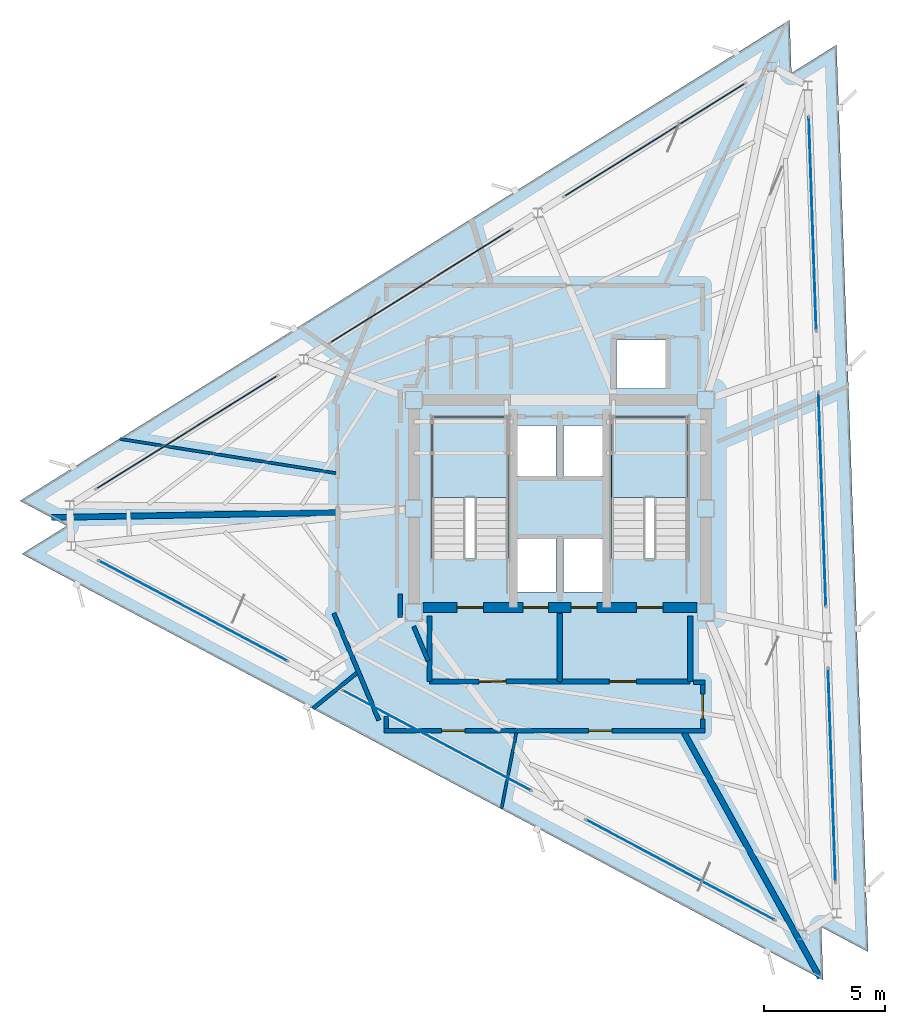
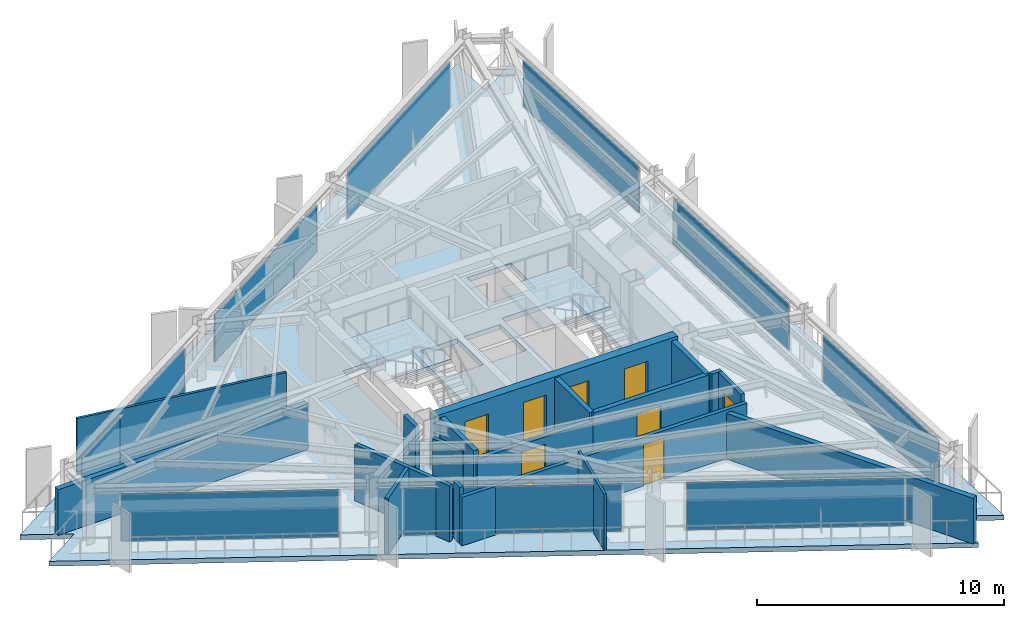
# One storey, part 8 of 13: 18 walls, 9 doors, 9 plates, 3 slabs, 9 openings, 11 elements without a shape of their own.
"""IFC4 building model written with IfcOpenShell, lengths in metres."""

from ifc_helpers import new_model, si_unit, direction, frame, frame_2d, origin, origin_2d, place, context, subcontext, project, spatial, polyline, rectangle, outline, extrude, material, layer, layer_set, type_object, element, fill, aggregate, save


model = new_model("IFC4")

# Units and contexts
model_context = context("Model", 3, precision=1e-05, world=origin(), true_north=direction((0.0, 1.0)))
body_context = subcontext(model_context, "Body", "Model", "MODEL_VIEW")
ifc_project = project(units=[si_unit("LENGTHUNIT", "METRE"), si_unit("AREAUNIT", "SQUARE_METRE"), si_unit("VOLUMEUNIT", "CUBIC_METRE"), si_unit("PLANEANGLEUNIT", "RADIAN"), si_unit("MASSUNIT", "GRAM", prefix="KILO")], contexts=[model_context])

# Site, building, storey
site_placement = place(None, origin())
site = spatial("IfcSite", under=ifc_project, at=site_placement, CompositionType="ELEMENT")
building_placement = place(site_placement, origin())
building = spatial("IfcBuilding", under=site, at=building_placement, Name="Rocaltana Carrier Exchange", CompositionType="ELEMENT")
storey_placement = place(building_placement, frame((0.0, 0.0, 199.679931640625)))
storey = spatial("IfcBuildingStorey", under=building, at=storey_placement, Name="L63", CompositionType="ELEMENT", Elevation=199.679931640625)

# Curtain wall, plate
ifc_material_1 = material(Name="Aluminium 6063-T6", Category="aluminium")
ifc_layer_1 = layer(ifc_material_1, 0.1201171875)
ifc_layer_set_1 = layer_set([ifc_layer_1], Name="Aluminium 6063-T6")
curtain_wall_type = type_object("IfcCurtainWallType", Name="High-Altitude Thermal Curtain Wall CW-05", PredefinedType="NOTDEFINED", material=ifc_layer_set_1)
curtain_wall_1_placement = place(storey_placement, origin())
curtain_wall_1 = element("IfcCurtainWall", 1, at=curtain_wall_1_placement, inside=storey, type_object=curtain_wall_type, Name="L63 CW-05 Run CW-L63-F1S1", PredefinedType="NOTDEFINED")
ifc_material_2 = material(Name="Tempered Laminated Glass", Category="glass")
ifc_layer_2 = layer(ifc_material_2, 0.035888671875)
ifc_layer_set_2 = layer_set([ifc_layer_2], Name="Tempered Laminated Glass")
plate_type = type_object("IfcPlateType", Name="CW-05 Stone-Insulated Vision Panel", PredefinedType="CURTAIN_PANEL", material=ifc_layer_set_2)
plate_1_placement = place(storey_placement, frame((11.266845703125, -11.046875, 0.06005859375), z_axis=(0.0, 0.0, 1.0), x_axis=(-0.034914127567, 0.999390315991, 0.0)))
plate_1 = element("IfcPlate", 2, at=plate_1_placement, type_object=plate_type, Name="CW-05 panel 1.1", PredefinedType="CURTAIN_PANEL", context=body_context, shape_type="SweptSolid", body=[
    extrude(rectangle(XDim=8.813232421875, YDim=0.035888671875, at=origin_2d()), origin(), (0.0, 0.0, 1.0), 2.327880859375),
])
aggregate(curtain_wall_1, [plate_1])

curtain_wall_2_placement = place(storey_placement, origin())
curtain_wall_2 = element("IfcCurtainWall", 3, at=curtain_wall_2_placement, inside=storey, type_object=curtain_wall_type, Name="L63 CW-05 Run CW-L63-F1S2", PredefinedType="NOTDEFINED")
plate_2_placement = place(storey_placement, frame((10.86767578125, 0.37939453125, 0.06005859375), z_axis=(0.0, 0.0, 1.0), x_axis=(-0.034902556738, 0.999390720156, 0.0)))
plate_2 = element("IfcPlate", 4, at=plate_2_placement, type_object=plate_type, Name="CW-05 panel 1.1", PredefinedType="CURTAIN_PANEL", context=body_context, shape_type="SweptSolid", body=[
    extrude(rectangle(XDim=8.8134765625, YDim=0.035888671875, at=origin_2d()), origin(), (0.0, 0.0, 1.0), 2.327880859375),
])
aggregate(curtain_wall_2, [plate_2])

curtain_wall_3_placement = place(storey_placement, origin())
curtain_wall_3 = element("IfcCurtainWall", 5, at=curtain_wall_3_placement, inside=storey, type_object=curtain_wall_type, Name="L63 CW-05 Run CW-L63-F1S3", PredefinedType="NOTDEFINED")
plate_3_placement = place(storey_placement, frame((10.46875, 11.805908203125, 0.06005859375), z_axis=(0.0, 0.0, 1.0), x_axis=(-0.034902556738, 0.999390720156, 0.0)))
plate_3 = element("IfcPlate", 6, at=plate_3_placement, type_object=plate_type, Name="CW-05 panel 1.1", PredefinedType="CURTAIN_PANEL", context=body_context, shape_type="SweptSolid", body=[
    extrude(rectangle(XDim=8.8134765625, YDim=0.035888671875, at=origin_2d()), origin(), (0.0, 0.0, 1.0), 2.327880859375),
])
aggregate(curtain_wall_3, [plate_3])

curtain_wall_4_placement = place(storey_placement, origin())
curtain_wall_4 = element("IfcCurtainWall", 7, at=curtain_wall_4_placement, inside=storey, type_object=curtain_wall_type, Name="L63 CW-05 Run CW-L63-F2S1", PredefinedType="NOTDEFINED")
plate_4_placement = place(storey_placement, frame((3.93359375, 15.28076171875, 0.06005859375), z_axis=(0.0, 0.0, 1.0), x_axis=(-0.848042322807, -0.529928503412, 0.0)))
plate_4 = element("IfcPlate", 8, at=plate_4_placement, type_object=plate_type, Name="CW-05 panel 1.1", PredefinedType="CURTAIN_PANEL", context=body_context, shape_type="SweptSolid", body=[
    extrude(rectangle(XDim=8.813232421875, YDim=0.035888671875, at=origin_2d()), origin(), (0.0, 0.0, 1.0), 2.327880859375),
])
aggregate(curtain_wall_4, [plate_4])

curtain_wall_5_placement = place(storey_placement, origin())
curtain_wall_5 = element("IfcCurtainWall", 9, at=curtain_wall_5_placement, inside=storey, type_object=curtain_wall_type, Name="L63 CW-05 Run CW-L63-F2S2", PredefinedType="NOTDEFINED")
plate_5_placement = place(storey_placement, frame((-5.762451171875, 9.221923828125, 0.06005859375), z_axis=(0.0, 0.0, 1.0), x_axis=(-0.848047353446, -0.529920452816, 0.0)))
plate_5 = element("IfcPlate", 10, at=plate_5_placement, type_object=plate_type, Name="CW-05 panel 1.1", PredefinedType="CURTAIN_PANEL", context=body_context, shape_type="SweptSolid", body=[
    extrude(rectangle(XDim=8.813232421875, YDim=0.035888671875, at=origin_2d()), origin(), (0.0, 0.0, 1.0), 2.327880859375),
])
aggregate(curtain_wall_5, [plate_5])

curtain_wall_6_placement = place(storey_placement, origin())
curtain_wall_6 = element("IfcCurtainWall", 11, at=curtain_wall_6_placement, inside=storey, type_object=curtain_wall_type, Name="L63 CW-05 Run CW-L63-F2S3", PredefinedType="NOTDEFINED")
plate_6_placement = place(storey_placement, frame((-15.45849609375, 3.163330078125, 0.06005859375), z_axis=(0.0, 0.0, 1.0), x_axis=(-0.848050496896, -0.529915422228, 0.0)))
plate_6 = element("IfcPlate", 12, at=plate_6_placement, type_object=plate_type, Name="CW-05 panel 1.1", PredefinedType="CURTAIN_PANEL", context=body_context, shape_type="SweptSolid", body=[
    extrude(rectangle(XDim=8.813232421875, YDim=0.035888671875, at=origin_2d()), origin(), (0.0, 0.0, 1.0), 2.327880859375),
])
aggregate(curtain_wall_6, [plate_6])

curtain_wall_7_placement = place(storey_placement, origin())
curtain_wall_7 = element("IfcCurtainWall", 13, at=curtain_wall_7_placement, inside=storey, type_object=curtain_wall_type, Name="L63 CW-05 Run CW-L63-F3S1", PredefinedType="NOTDEFINED")
plate_7_placement = place(storey_placement, frame((-15.2001953125, -4.23388671875, 0.06005859375), z_axis=(0.0, 0.0, 1.0), x_axis=(0.882941304732, -0.469483388841, 0.0)))
plate_7 = element("IfcPlate", 14, at=plate_7_placement, type_object=plate_type, Name="CW-05 panel 1.1", PredefinedType="CURTAIN_PANEL", context=body_context, shape_type="SweptSolid", body=[
    extrude(rectangle(XDim=8.8134765625, YDim=0.035888671875, at=origin_2d()), origin(), (0.0, 0.0, 1.0), 2.327880859375),
])
aggregate(curtain_wall_7, [plate_7])

curtain_wall_8_placement = place(storey_placement, origin())
curtain_wall_8 = element("IfcCurtainWall", 15, at=curtain_wall_8_placement, inside=storey, type_object=curtain_wall_type, Name="L63 CW-05 Run CW-L63-F3S2", PredefinedType="NOTDEFINED")
plate_8_placement = place(storey_placement, frame((-5.105224609375, -9.6015625, 0.06005859375), z_axis=(0.0, 0.0, 1.0), x_axis=(0.882943477624, -0.469479302335, 0.0)))
plate_8 = element("IfcPlate", 16, at=plate_8_placement, type_object=plate_type, Name="CW-05 panel 1.1", PredefinedType="CURTAIN_PANEL", context=body_context, shape_type="SweptSolid", body=[
    extrude(rectangle(XDim=8.813232421875, YDim=0.035888671875, at=origin_2d()), origin(), (0.0, 0.0, 1.0), 2.327880859375),
])
aggregate(curtain_wall_8, [plate_8])

curtain_wall_9_placement = place(storey_placement, origin())
curtain_wall_9 = element("IfcCurtainWall", 17, at=curtain_wall_9_placement, inside=storey, type_object=curtain_wall_type, Name="L63 CW-05 Run CW-L63-F3S3", PredefinedType="NOTDEFINED")
plate_9_placement = place(storey_placement, frame((4.98974609375, -14.968994140625, 0.06005859375), z_axis=(0.0, 0.0, 1.0), x_axis=(0.882945944879, -0.469474662173, 0.0)))
plate_9 = element("IfcPlate", 18, at=plate_9_placement, type_object=plate_type, Name="CW-05 panel 1.1", PredefinedType="CURTAIN_PANEL", context=body_context, shape_type="SweptSolid", body=[
    extrude(rectangle(XDim=8.8134765625, YDim=0.035888671875, at=origin_2d()), origin(), (0.0, 0.0, 1.0), 2.327880859375),
])
aggregate(curtain_wall_9, [plate_9])

# Slab
ifc_material_3 = material(Name="Concrete C50/60", Category="concrete")
ifc_layer_3 = layer(ifc_material_3, 0.239990234375)
ifc_layer_set_3 = layer_set([ifc_layer_3], Name="Concrete C50/60")
slab_type_1 = type_object("IfcSlabType", Name="High-Zone Tower Slab 240", PredefinedType="FLOOR", material=ifc_layer_set_3)
slab_1_placement = place(storey_placement, frame((0.0, 0.0, -0.239990234375)))
element("IfcSlab", 19, at=slab_1_placement, inside=storey, type_object=slab_type_1, Name="L63 Structural Floor Slab", PredefinedType="FLOOR", context=body_context, shape_type="SweptSolid", body=[
    extrude(outline(polyline([(10.907470703125, -19.53125), (10.83056640625, -17.33251953125), (12.773193359375, -18.365478515625), (11.4609375, 19.211669921875), (9.59521484375, 18.0458984375), (9.518310546875, 20.244384765625), (-22.3681640625, 0.319580078125), (-20.42578125, -0.71337890625), (-22.29150390625, -1.879150390625), (10.907470703125, -19.53125)]), holes=[polyline([(-5.300048828125, -2.06005859375), (-2.139892578125, -2.06005859375), (-2.139892578125, 3.800048828125), (-5.300048828125, 3.800048828125), (-5.300048828125, -2.06005859375)]), polyline([(2.139892578125, -2.06005859375), (5.300048828125, -2.06005859375), (5.300048828125, 3.800048828125), (2.139892578125, 3.800048828125), (2.139892578125, -2.06005859375)]), polyline([(-1.85009765625, -3.449951171875), (-0.14990234375, -3.449951171875), (-0.14990234375, -1.25), (-1.85009765625, -1.25), (-1.85009765625, -3.449951171875)]), polyline([(0.14990234375, -3.449951171875), (1.85009765625, -3.449951171875), (1.85009765625, -1.25), (0.14990234375, -1.25), (0.14990234375, -3.449951171875)]), polyline([(2.35009765625, 4.97998046875), (4.39990234375, 4.97998046875), (4.39990234375, 6.97998046875), (2.35009765625, 6.97998046875), (2.35009765625, 4.97998046875)]), polyline([(-1.85009765625, 1.35009765625), (-0.14990234375, 1.35009765625), (-0.14990234375, 3.449951171875), (-1.85009765625, 3.449951171875), (-1.85009765625, 1.35009765625)]), polyline([(0.14990234375, 1.35009765625), (1.85009765625, 1.35009765625), (1.85009765625, 3.449951171875), (0.14990234375, 3.449951171875), (0.14990234375, 1.35009765625)])]), origin(), (0.0, 0.0, 1.0), 0.239990234375),
])

# Stair, slab
ifc_material_4 = material(Name="Precast concrete C45/55", Category="concrete")
stair_type = type_object("IfcStairType", Name="Standard Dog-Leg Stair 160", PredefinedType="HALF_TURN_STAIR", material=ifc_material_4)
stair_1_placement = place(storey_placement, origin())
stair_1 = element("IfcStair", 20, at=stair_1_placement, inside=storey, type_object=stair_type, Name="L63 Core West Exit Stair ST-1", PredefinedType="HALF_TURN_STAIR")
ifc_material_5 = material(Name="Precast concrete C45/55", Category="concrete")
ifc_layer_4 = layer(ifc_material_5, 0.199951171875)
ifc_layer_set_4 = layer_set([ifc_layer_4], Name="Precast concrete C45/55")
slab_type_2 = type_object("IfcSlabType", Name="Precast Stair Half-Landing 200", PredefinedType="LANDING", material=ifc_layer_set_4)
slab_2_placement = place(storey_placement, frame((0.0, 0.0, 1.320068359375)))
slab_2 = element("IfcSlab", 21, at=slab_2_placement, type_object=slab_type_2, Name="ST-1 landing 1", PredefinedType="LANDING", context=body_context, shape_type="SweptSolid", body=[
    extrude(outline(polyline([(-2.139892578125, 0.4599609375), (-2.139892578125, 3.800048828125), (-5.300048828125, 3.800048828125), (-5.300048828125, 0.4599609375), (-2.139892578125, 0.4599609375)])), origin(), (0.0, 0.0, 1.0), 0.199951171875),
])
aggregate(stair_1, [slab_2])

stair_2_placement = place(storey_placement, origin())
stair_2 = element("IfcStair", 22, at=stair_2_placement, inside=storey, type_object=stair_type, Name="L63 Core East Exit Stair ST-2", PredefinedType="HALF_TURN_STAIR")
slab_3_placement = place(storey_placement, frame((0.0, 0.0, 1.320068359375)))
slab_3 = element("IfcSlab", 23, at=slab_3_placement, type_object=slab_type_2, Name="ST-2 landing 1", PredefinedType="LANDING", context=body_context, shape_type="SweptSolid", body=[
    extrude(outline(polyline([(5.300048828125, 0.4599609375), (5.300048828125, 3.800048828125), (2.139892578125, 3.800048828125), (2.139892578125, 0.4599609375), (5.300048828125, 0.4599609375)])), origin(), (0.0, 0.0, 1.0), 0.199951171875),
])
aggregate(stair_2, [slab_3])

# Wall
ifc_material_6 = material(Name="Double Acoustic Gypsum Partition", Category="gypsum")
ifc_layer_5 = layer(ifc_material_6, 0.159912109375)
ifc_layer_set_5 = layer_set([ifc_layer_5], Name="Double Acoustic Gypsum Partition")
wall_type_1 = type_object("IfcWallType", Name="Acoustic Studio Partition 160 EI60", PredefinedType="PARTITIONING", material=ifc_layer_set_5)
wall_1_placement = place(storey_placement, frame((-8.4111328125, -6.811279296875, 0.0), z_axis=(0.0, 0.0, 1.0), x_axis=(-0.777176762159, -0.629282353448, 0.0)))
element("IfcWall", 24, at=wall_1_placement, inside=storey, type_object=wall_type_1, Name="L63 Suite Divider Wall D2", PredefinedType="PARTITIONING", context=body_context, shape_type="SweptSolid", body=[
    extrude(rectangle(XDim=2.33740234375, YDim=0.159912109375, at=frame_2d((1.168701171875, 0.0))), origin(), (0.0, 0.0, 1.0), 2.77294921875),
])

# Wall, openings, doors
ifc_material_7 = material(Name="Concrete C50/60", Category="concrete")
ifc_layer_6 = layer(ifc_material_7, 0.39990234375)
ifc_layer_set_6 = layer_set([ifc_layer_6], Name="Concrete C50/60")
wall_type_2 = type_object("IfcWallType", Name="Core Internal Shear Wall 400", PredefinedType="SHEAR", material=ifc_layer_set_6)
wall_2_placement = place(storey_placement, frame((-5.675048828125, -4.10009765625, 0.0), z_axis=(0.0, 0.0, 1.0), x_axis=(1.0, 0.0, 0.0)))
wall_2 = element("IfcWall", 25, at=wall_2_placement, inside=storey, type_object=wall_type_2, Name="L63 Core Shear Wall CW-S", PredefinedType="SHEAR", context=body_context, shape_type="SweptSolid", body=[
    extrude(rectangle(XDim=11.35009765625, YDim=0.39990234375, at=frame_2d((5.675048828125, 0.0))), origin(), (0.0, 0.0, 1.0), 2.798095703125),
])
opening_1_placement = place(wall_2_placement, frame((1.405029296875, 0.0, 0.0)))
opening_1 = element("IfcOpeningElement", 26, at=opening_1_placement, cuts=wall_2, Name="Opening D-ST110", PredefinedType="OPENING", context=body_context, shape_type="SweptSolid", body=[
    extrude(rectangle(XDim=1.10009765625, YDim=2.0400390625, at=frame_2d((0.550048828125, 1.02001953125))), frame((0.0, 0.2099609375, 0.0), z_axis=(0.0, -1.0, 0.0), x_axis=(1.0, 0.0, 0.0)), (0.0, 0.0, 1.0), 0.419921875),
])
opening_2_placement = place(wall_2_placement, frame((8.844970703125, 0.0, 0.0)))
opening_2 = element("IfcOpeningElement", 27, at=opening_2_placement, cuts=wall_2, Name="Opening D-ST110", PredefinedType="OPENING", context=body_context, shape_type="SweptSolid", body=[
    extrude(rectangle(XDim=1.10009765625, YDim=2.0400390625, at=frame_2d((0.550048828125, 1.02001953125))), frame((0.0, 0.2099609375, 0.0), z_axis=(0.0, -1.0, 0.0), x_axis=(1.0, 0.0, 0.0)), (0.0, 0.0, 1.0), 0.419921875),
])
opening_3_placement = place(wall_2_placement, frame((4.14501953125, 0.0, 0.0)))
opening_3 = element("IfcOpeningElement", 28, at=opening_3_placement, cuts=wall_2, Name="Opening LD-110", PredefinedType="OPENING", context=body_context, shape_type="SweptSolid", body=[
    extrude(rectangle(XDim=1.06005859375, YDim=2.0400390625, at=frame_2d((0.530029296875, 1.02001953125))), frame((0.0, 0.2099609375, 0.0), z_axis=(0.0, -1.0, 0.0), x_axis=(1.0, 0.0, 0.0)), (0.0, 0.0, 1.0), 0.419921875),
])
opening_4_placement = place(wall_2_placement, frame((6.14501953125, 0.0, 0.0)))
opening_4 = element("IfcOpeningElement", 29, at=opening_4_placement, cuts=wall_2, Name="Opening LD-110", PredefinedType="OPENING", context=body_context, shape_type="SweptSolid", body=[
    extrude(rectangle(XDim=1.06005859375, YDim=2.0400390625, at=frame_2d((0.530029296875, 1.02001953125))), frame((0.0, 0.2099609375, 0.0), z_axis=(0.0, -1.0, 0.0), x_axis=(1.0, 0.0, 0.0)), (0.0, 0.0, 1.0), 0.419921875),
])
ifc_material_8 = material(Name="Hollow Metal Fire Door Assembly", Category="steel")
door_type_1 = type_object("IfcDoorType", Name="Exit Stair Fire Door 1100x2040 FD90S", OperationType="NOTDEFINED", PredefinedType="DOOR", material=ifc_material_8)
door_1_placement = place(opening_1_placement, origin())
door_1 = element("IfcDoor", 30, at=door_1_placement, inside=storey, type_object=door_type_1, Name="L63 Exit Stair ST1 Fire Door", OperationType="SINGLE_SWING_RIGHT", OverallHeight=2.0400390625, OverallWidth=1.10009765625, PredefinedType="DOOR", context=body_context, shape_type="SweptSolid", body=[
    extrude(rectangle(XDim=1.10009765625, YDim=2.0400390625, at=frame_2d((0.550048828125, 1.02001953125))), frame((0.0, 0.02490234375, 0.0), z_axis=(0.0, -1.0, 0.0), x_axis=(1.0, 0.0, 0.0)), (0.0, 0.0, 1.0), 0.050048828125),
])
fill(opening_1, door_1)
door_2_placement = place(opening_2_placement, origin())
door_2 = element("IfcDoor", 31, at=door_2_placement, inside=storey, type_object=door_type_1, Name="L63 Exit Stair ST2 Fire Door", OperationType="SINGLE_SWING_LEFT", OverallHeight=2.0400390625, OverallWidth=1.10009765625, PredefinedType="DOOR", context=body_context, shape_type="SweptSolid", body=[
    extrude(rectangle(XDim=1.10009765625, YDim=2.0400390625, at=frame_2d((0.550048828125, 1.02001953125))), frame((0.0, 0.02490234375, 0.0), z_axis=(0.0, -1.0, 0.0), x_axis=(1.0, 0.0, 0.0)), (0.0, 0.0, 1.0), 0.050048828125),
])
fill(opening_2, door_2)
ifc_material_9 = material(Name="Brushed Stainless Sliding Door Leaf", Category="steel")
door_type_2 = type_object("IfcDoorType", Name="Lift Landing Sliding Door 1060x2040", OperationType="NOTDEFINED", PredefinedType="DOOR", material=ifc_material_9)
door_3_placement = place(opening_3_placement, origin())
door_3 = element("IfcDoor", 32, at=door_3_placement, inside=storey, type_object=door_type_2, Name="L63 Firefighting Lift FFL1 Landing Door", OperationType="SLIDING_TO_LEFT", OverallHeight=2.0400390625, OverallWidth=1.06005859375, PredefinedType="DOOR", context=body_context, shape_type="SweptSolid", body=[
    extrude(rectangle(XDim=1.06005859375, YDim=2.0400390625, at=frame_2d((0.530029296875, 1.02001953125))), frame((0.0, 0.02490234375, 0.0), z_axis=(0.0, -1.0, 0.0), x_axis=(1.0, 0.0, 0.0)), (0.0, 0.0, 1.0), 0.050048828125),
])
fill(opening_3, door_3)
door_4_placement = place(opening_4_placement, origin())
door_4 = element("IfcDoor", 33, at=door_4_placement, inside=storey, type_object=door_type_2, Name="L63 Firefighting Lift FFL2 Landing Door", OperationType="SLIDING_TO_RIGHT", OverallHeight=2.0400390625, OverallWidth=1.06005859375, PredefinedType="DOOR", context=body_context, shape_type="SweptSolid", body=[
    extrude(rectangle(XDim=1.06005859375, YDim=2.0400390625, at=frame_2d((0.530029296875, 1.02001953125))), frame((0.0, 0.02490234375, 0.0), z_axis=(0.0, -1.0, 0.0), x_axis=(1.0, 0.0, 0.0)), (0.0, 0.0, 1.0), 0.050048828125),
])
fill(opening_4, door_4)

# Walls
ifc_material_10 = material(Name="Gypsum & Steel Stud Partition", Category="steel")
ifc_layer_7 = layer(ifc_material_10, 0.179931640625)
ifc_layer_set_7 = layer_set([ifc_layer_7], Name="Gypsum & Steel Stud Partition")
wall_type_3 = type_object("IfcWallType", Name="Corridor Fire Partition 180 EI60", PredefinedType="PARTITIONING", material=ifc_layer_set_7)
wall_3_placement = place(storey_placement, frame((-7.501220703125, -8.768798828125, 0.0), z_axis=(0.0, 0.0, 1.0), x_axis=(-0.387573945081, 0.921838617706, 0.0)))
element("IfcWall", 34, at=wall_3_placement, inside=storey, type_object=wall_type_3, Name="L63 Corridor Partition 1", PredefinedType="PARTITIONING", context=body_context, shape_type="SweptSolid", body=[
    extrude(rectangle(XDim=4.813232421875, YDim=0.179931640625, at=frame_2d((2.40673828125, 0.0))), origin(), (0.0, 0.0, 1.0), 2.77294921875),
])
wall_4_placement = place(storey_placement, frame((-6.610107421875, -3.541259765625, 0.0), z_axis=(0.0, 0.0, 1.0), x_axis=(0.0, -1.0, 0.0)))
element("IfcWall", 35, at=wall_4_placement, inside=storey, type_object=wall_type_3, Name="L63 Corridor Partition 12", PredefinedType="PARTITIONING", context=body_context, shape_type="SweptSolid", body=[
    extrude(rectangle(XDim=0.978759765625, YDim=0.179931640625, at=frame_2d((0.4892578125, 0.0))), origin(), (0.0, 0.0, 1.0), 2.77294921875),
])
wall_5_placement = place(storey_placement, frame((-6.0546875, -4.881591796875, 0.0), z_axis=(0.0, 0.0, 1.0), x_axis=(0.387579540458, -0.921836265189, 0.0)))
element("IfcWall", 36, at=wall_5_placement, inside=storey, type_object=wall_type_3, Name="L63 Corridor Partition 13", PredefinedType="PARTITIONING", context=body_context, shape_type="SweptSolid", body=[
    extrude(rectangle(XDim=1.5546875, YDim=0.179931640625, at=frame_2d((0.77734375, 0.0))), origin(), (0.0, 0.0, 1.0), 2.253173828125),
])
wall_6_placement = place(storey_placement, frame((5.530029296875, -7.199951171875, 0.0), z_axis=(0.0, 0.0, 1.0), x_axis=(1.0, 0.0, 0.0)))
element("IfcWall", 37, at=wall_6_placement, inside=storey, type_object=wall_type_3, Name="L63 Corridor Partition 14", PredefinedType="PARTITIONING", context=body_context, shape_type="SweptSolid", body=[
    extrude(rectangle(XDim=0.47998046875, YDim=0.179931640625, at=frame_2d((0.239990234375, 0.0))), origin(), (0.0, 0.0, 1.0), 2.77294921875),
])

# Wall, opening, door
wall_7_placement = place(storey_placement, frame((5.919921875, -7.2900390625, 0.0), z_axis=(0.0, 0.0, 1.0), x_axis=(0.0, -1.0, 0.0)))
wall_7 = element("IfcWall", 38, at=wall_7_placement, inside=storey, type_object=wall_type_3, Name="L63 Corridor Partition 15", PredefinedType="PARTITIONING", context=body_context, shape_type="SweptSolid", body=[
    extrude(rectangle(XDim=1.820068359375, YDim=0.179931640625, at=frame_2d((0.91015625, 0.0))), origin(), (0.0, 0.0, 1.0), 2.77294921875),
])
opening_5_placement = place(wall_7_placement, frame((0.39990234375, 0.0, 0.0)))
opening_5 = element("IfcOpeningElement", 39, at=opening_5_placement, cuts=wall_7, Name="Opening D-LB104", PredefinedType="OPENING", context=body_context, shape_type="SweptSolid", body=[
    extrude(rectangle(XDim=1.02001953125, YDim=2.02001953125, at=frame_2d((0.510009765625, 1.010009765625))), frame((0.0, 0.099853515625, 0.0), z_axis=(0.0, -1.0, 0.0), x_axis=(1.0, 0.0, 0.0)), (0.0, 0.0, 1.0), 0.199951171875),
])
ifc_material_11 = material(Name="Powder-Coated Aluminium 6063-T6", Category="aluminium")
door_type_3 = type_object("IfcDoorType", Name="Laboratory Acoustic Door 1020x2020", OperationType="NOTDEFINED", PredefinedType="DOOR", material=ifc_material_11)
door_5_placement = place(opening_5_placement, origin())
door_5 = element("IfcDoor", 40, at=door_5_placement, inside=storey, type_object=door_type_3, Name="L63 Optical Switching Laboratory Entrance Door", OperationType="SINGLE_SWING_LEFT", OverallHeight=2.02001953125, OverallWidth=1.02001953125, PredefinedType="DOOR", context=body_context, shape_type="SweptSolid", body=[
    extrude(rectangle(XDim=1.02001953125, YDim=2.02001953125, at=frame_2d((0.510009765625, 1.010009765625))), frame((0.0, 0.02490234375, 0.0), z_axis=(0.0, -1.0, 0.0), x_axis=(1.0, 0.0, 0.0)), (0.0, 0.0, 1.0), 0.050048828125),
])
fill(opening_5, door_5)

# Wall, openings, doors
wall_8_placement = place(storey_placement, frame((6.010009765625, -9.199951171875, 0.0), z_axis=(0.0, 0.0, 1.0), x_axis=(-1.0, 0.0, 0.0)))
wall_8 = element("IfcWall", 41, at=wall_8_placement, inside=storey, type_object=wall_type_3, Name="L63 Corridor Partition 16", PredefinedType="PARTITIONING", context=body_context, shape_type="SweptSolid", body=[
    extrude(rectangle(XDim=13.300048828125, YDim=0.179931640625, at=frame_2d((6.64990234375, 0.0))), origin(), (0.0, 0.0, 1.0), 2.39501953125),
])
opening_6_placement = place(wall_8_placement, frame((9.947509765625, 0.0, 0.0)))
opening_6 = element("IfcOpeningElement", 42, at=opening_6_placement, cuts=wall_8, Name="Opening D-RM098", PredefinedType="OPENING", context=body_context, shape_type="SweptSolid", body=[
    extrude(rectangle(XDim=0.9599609375, YDim=2.02001953125, at=frame_2d((0.47998046875, 1.010009765625))), frame((0.0, 0.099853515625, 0.0), z_axis=(0.0, -1.0, 0.0), x_axis=(1.0, 0.0, 0.0)), (0.0, 0.0, 1.0), 0.199951171875),
])
opening_7_placement = place(wall_8_placement, frame((3.857177734375, 0.0, 0.0)))
opening_7 = element("IfcOpeningElement", 43, at=opening_7_placement, cuts=wall_8, Name="Opening D-RM098", PredefinedType="OPENING", context=body_context, shape_type="SweptSolid", body=[
    extrude(rectangle(XDim=0.9599609375, YDim=2.02001953125, at=frame_2d((0.47998046875, 1.010009765625))), frame((0.0, 0.099853515625, 0.0), z_axis=(0.0, -1.0, 0.0), x_axis=(1.0, 0.0, 0.0)), (0.0, 0.0, 1.0), 0.199951171875),
])
ifc_material_12 = material(Name="Engineered Hardwood Timber", Category="wood")
door_type_4 = type_object("IfcDoorType", Name="Workspace Single Door 960x2020", OperationType="NOTDEFINED", PredefinedType="DOOR", material=ifc_material_12)
door_6_placement = place(opening_6_placement, origin())
door_6 = element("IfcDoor", 44, at=door_6_placement, inside=storey, type_object=door_type_4, Name="L63 Incident Briefing Room Entrance Door", OperationType="SINGLE_SWING_LEFT", OverallHeight=2.02001953125, OverallWidth=0.9599609375, PredefinedType="DOOR", context=body_context, shape_type="SweptSolid", body=[
    extrude(rectangle(XDim=0.9599609375, YDim=2.02001953125, at=frame_2d((0.47998046875, 1.010009765625))), frame((0.0, 0.02490234375, 0.0), z_axis=(0.0, -1.0, 0.0), x_axis=(1.0, 0.0, 0.0)), (0.0, 0.0, 1.0), 0.050048828125),
])
fill(opening_6, door_6)
door_7_placement = place(opening_7_placement, origin())
door_7 = element("IfcDoor", 45, at=door_7_placement, inside=storey, type_object=door_type_4, Name="L63 Peering Conference Room Entrance Door", OperationType="SINGLE_SWING_RIGHT", OverallHeight=2.02001953125, OverallWidth=0.9599609375, PredefinedType="DOOR", context=body_context, shape_type="SweptSolid", body=[
    extrude(rectangle(XDim=0.9599609375, YDim=2.02001953125, at=frame_2d((0.47998046875, 1.010009765625))), frame((0.0, 0.02490234375, 0.0), z_axis=(0.0, -1.0, 0.0), x_axis=(1.0, 0.0, 0.0)), (0.0, 0.0, 1.0), 0.050048828125),
])
fill(opening_7, door_7)

# Walls
wall_9_placement = place(storey_placement, frame((-7.199951171875, -9.110107421875, 0.0), z_axis=(0.0, 0.0, 1.0), x_axis=(0.0, 1.0, 0.0)))
element("IfcWall", 46, at=wall_9_placement, inside=storey, type_object=wall_type_3, Name="L63 Corridor Partition 17", PredefinedType="PARTITIONING", context=body_context, shape_type="SweptSolid", body=[
    extrude(rectangle(XDim=0.509521484375, YDim=0.179931640625, at=frame_2d((0.2548828125, 0.0))), origin(), (0.0, 0.0, 1.0), 2.77294921875),
])
ifc_material_13 = material(Name="Aluminium 6063-T6 & Acoustic Glass", Category="aluminium")
ifc_layer_8 = layer(ifc_material_13, 0.114990234375)
ifc_layer_set_8 = layer_set([ifc_layer_8], Name="Aluminium 6063-T6 & Acoustic Glass")
wall_type_4 = type_object("IfcWallType", Name="Demountable Glazed Lab Partition 115", PredefinedType="MOVABLE", material=ifc_layer_set_8)
wall_10_placement = place(storey_placement, frame((-1.8037109375, -9.280029296875, 0.0), z_axis=(0.0, 0.0, 1.0), x_axis=(-0.190810698239, -0.981626852443, 0.0)))
element("IfcWall", 47, at=wall_10_placement, inside=storey, type_object=wall_type_4, Name="L63 Suite Divider Wall D3", PredefinedType="MOVABLE", context=body_context, shape_type="SweptSolid", body=[
    extrude(rectangle(XDim=3.214111328125, YDim=0.114990234375, at=frame_2d((1.60693359375, 0.0))), origin(), (0.0, 0.0, 1.0), 2.77294921875),
])
wall_11_placement = place(storey_placement, frame((-9.280029296875, 1.4697265625, 0.0), z_axis=(0.0, 0.0, 1.0), x_axis=(-0.987686019225, 0.156449120891, 0.0)))
element("IfcWall", 48, at=wall_11_placement, inside=storey, type_object=wall_type_4, Name="L63 Suite Divider Wall D9", PredefinedType="MOVABLE", context=body_context, shape_type="SweptSolid", body=[
    extrude(rectangle(XDim=9.069580078125, YDim=0.114990234375, at=frame_2d((4.53466796875, 0.0))), origin(), (0.0, 0.0, 1.0), 2.77294921875),
])
ifc_material_14 = material(Name="Autoclaved Aerated Concrete C30/37", Category="concrete")
ifc_layer_9 = layer(ifc_material_14, 0.219970703125)
ifc_layer_set_9 = layer_set([ifc_layer_9], Name="Autoclaved Aerated Concrete C30/37")
wall_type_5 = type_object("IfcWallType", Name="Firefighting Lobby Wall 220 EI120", PredefinedType="PARTITIONING", material=ifc_layer_set_9)
for number, where, z_axis, x_axis, name in (
    (49, (-5.39990234375, -7.159912109375, 0.0), (0.0, 0.0, 1.0), (0.0, 1.0, 0.0), "L63 FFL Lobby 1 West Wall"),
    (50, (5.39990234375, -7.159912109375, 0.0), (0.0, 0.0, 1.0), (0.0, 1.0, 0.0), "L63 FFL Lobby 2 East Wall"),
):
    element("IfcWall", number, at=place(storey_placement, frame(where, z_axis=z_axis, x_axis=x_axis)), inside=storey, type_object=wall_type_5, Name=name, PredefinedType="PARTITIONING", context=body_context, shape_type="SweptSolid", body=[
        extrude(rectangle(XDim=2.7099609375, YDim=0.219970703125, at=frame_2d((1.35498046875, 0.0))), origin(), (0.0, 0.0, 1.0), 2.77294921875),
    ])
wall_12_placement = place(storey_placement, frame((0.0, -7.159912109375, 0.0), z_axis=(0.0, 0.0, 1.0), x_axis=(0.0, 1.0, 0.0)))
element("IfcWall", 51, at=wall_12_placement, inside=storey, type_object=wall_type_5, Name="L63 FFL Lobby Centre Wall", PredefinedType="PARTITIONING", context=body_context, shape_type="SweptSolid", body=[
    extrude(rectangle(XDim=2.809814453125, YDim=0.219970703125, at=frame_2d((1.40478515625, 0.0))), origin(), (0.0, 0.0, 1.0), 2.77294921875),
])

# Wall, opening, door
wall_13_placement = place(storey_placement, frame((-5.39990234375, -7.159912109375, 0.0), z_axis=(0.0, 0.0, 1.0), x_axis=(1.0, 0.0, 0.0)))
wall_13 = element("IfcWall", 52, at=wall_13_placement, inside=storey, type_object=wall_type_5, Name="L63 FFL Lobby 1 South Wall", PredefinedType="PARTITIONING", context=body_context, shape_type="SweptSolid", body=[
    extrude(rectangle(XDim=5.39990234375, YDim=0.219970703125, at=frame_2d((2.699951171875, 0.0))), origin(), (0.0, 0.0, 1.0), 2.39501953125),
])
opening_8_placement = place(wall_13_placement, frame((2.050048828125, 0.0, 0.0)))
opening_8 = element("IfcOpeningElement", 53, at=opening_8_placement, cuts=wall_13, Name="Opening D-FF115", PredefinedType="OPENING", context=body_context, shape_type="SweptSolid", body=[
    extrude(rectangle(XDim=1.1201171875, YDim=2.02001953125, at=frame_2d((0.56005859375, 1.010009765625))), frame((0.0, 0.119873046875, 0.0), z_axis=(0.0, -1.0, 0.0), x_axis=(1.0, 0.0, 0.0)), (0.0, 0.0, 1.0), 0.239990234375),
])
ifc_material_15 = material(Name="Hollow Metal Fire Door Assembly", Category="steel")
door_type_5 = type_object("IfcDoorType", Name="Firefighting Lobby Door 1120x2020 FD60S", OperationType="NOTDEFINED", PredefinedType="DOOR", material=ifc_material_15)
door_8_placement = place(opening_8_placement, origin())
door_8 = element("IfcDoor", 54, at=door_8_placement, inside=storey, type_object=door_type_5, Name="L63 Firefighting Lift Lobby 1 Door", OperationType="SINGLE_SWING_RIGHT", OverallHeight=2.02001953125, OverallWidth=1.1201171875, PredefinedType="DOOR", context=body_context, shape_type="SweptSolid", body=[
    extrude(rectangle(XDim=1.1201171875, YDim=2.02001953125, at=frame_2d((0.56005859375, 1.010009765625))), frame((0.0, 0.02490234375, 0.0), z_axis=(0.0, -1.0, 0.0), x_axis=(1.0, 0.0, 0.0)), (0.0, 0.0, 1.0), 0.050048828125),
])
fill(opening_8, door_8)

wall_14_placement = place(storey_placement, frame((0.0, -7.159912109375, 0.0), z_axis=(0.0, 0.0, 1.0), x_axis=(1.0, 0.0, 0.0)))
wall_14 = element("IfcWall", 55, at=wall_14_placement, inside=storey, type_object=wall_type_5, Name="L63 FFL Lobby 2 South Wall", PredefinedType="PARTITIONING", context=body_context, shape_type="SweptSolid", body=[
    extrude(rectangle(XDim=5.39990234375, YDim=0.219970703125, at=frame_2d((2.699951171875, 0.0))), origin(), (0.0, 0.0, 1.0), 2.77294921875),
])
opening_9_placement = place(wall_14_placement, frame((2.050048828125, 0.0, 0.0)))
opening_9 = element("IfcOpeningElement", 56, at=opening_9_placement, cuts=wall_14, Name="Opening D-FF115", PredefinedType="OPENING", context=body_context, shape_type="SweptSolid", body=[
    extrude(rectangle(XDim=1.1201171875, YDim=2.02001953125, at=frame_2d((0.56005859375, 1.010009765625))), frame((0.0, 0.119873046875, 0.0), z_axis=(0.0, -1.0, 0.0), x_axis=(1.0, 0.0, 0.0)), (0.0, 0.0, 1.0), 0.239990234375),
])
door_9_placement = place(opening_9_placement, origin())
door_9 = element("IfcDoor", 57, at=door_9_placement, inside=storey, type_object=door_type_5, Name="L63 Firefighting Lift Lobby 2 Door", OperationType="SINGLE_SWING_LEFT", OverallHeight=2.02001953125, OverallWidth=1.1201171875, PredefinedType="DOOR", context=body_context, shape_type="SweptSolid", body=[
    extrude(rectangle(XDim=1.1201171875, YDim=2.02001953125, at=frame_2d((0.56005859375, 1.010009765625))), frame((0.0, 0.02490234375, 0.0), z_axis=(0.0, -1.0, 0.0), x_axis=(1.0, 0.0, 0.0)), (0.0, 0.0, 1.0), 0.050048828125),
])
fill(opening_9, door_9)

# Walls
ifc_material_16 = material(Name="Acoustic Calcium Silicate Partition", Category="gypsum")
ifc_layer_10 = layer(ifc_material_16, 0.239990234375)
ifc_layer_set_10 = layer_set([ifc_layer_10], Name="Acoustic Calcium Silicate Partition")
wall_type_6 = type_object("IfcWallType", Name="Heavy Lab Partition 240 EI90", PredefinedType="PARTITIONING", material=ifc_layer_set_10)
wall_15_placement = place(storey_placement, frame((-9.280029296875, -0.162109375, 0.0), z_axis=(0.0, 0.0, 1.0), x_axis=(-0.999847998997, -0.017434990714, 0.0)))
element("IfcWall", 58, at=wall_15_placement, inside=storey, type_object=wall_type_6, Name="L63 Suite Divider Wall D1", PredefinedType="PARTITIONING", context=body_context, shape_type="SweptSolid", body=[
    extrude(rectangle(XDim=11.7763671875, YDim=0.239990234375, at=frame_2d((5.88818359375, 0.0))), origin(), (0.0, 0.0, 1.0), 2.253173828125),
])
wall_16_placement = place(storey_placement, frame((5.14404296875, -9.280029296875, 0.0), z_axis=(0.0, 0.0, 1.0), x_axis=(0.484798043034, -0.874626124393, 0.0)))
element("IfcWall", 59, at=wall_16_placement, inside=storey, type_object=wall_type_6, Name="L63 Suite Divider Wall D4", PredefinedType="PARTITIONING", context=body_context, shape_type="SweptSolid", body=[
    extrude(rectangle(XDim=11.632568359375, YDim=0.239990234375, at=frame_2d((5.81640625, 0.0))), origin(), (0.0, 0.0, 1.0), 2.253173828125),
])

save(model, "model.ifc")
